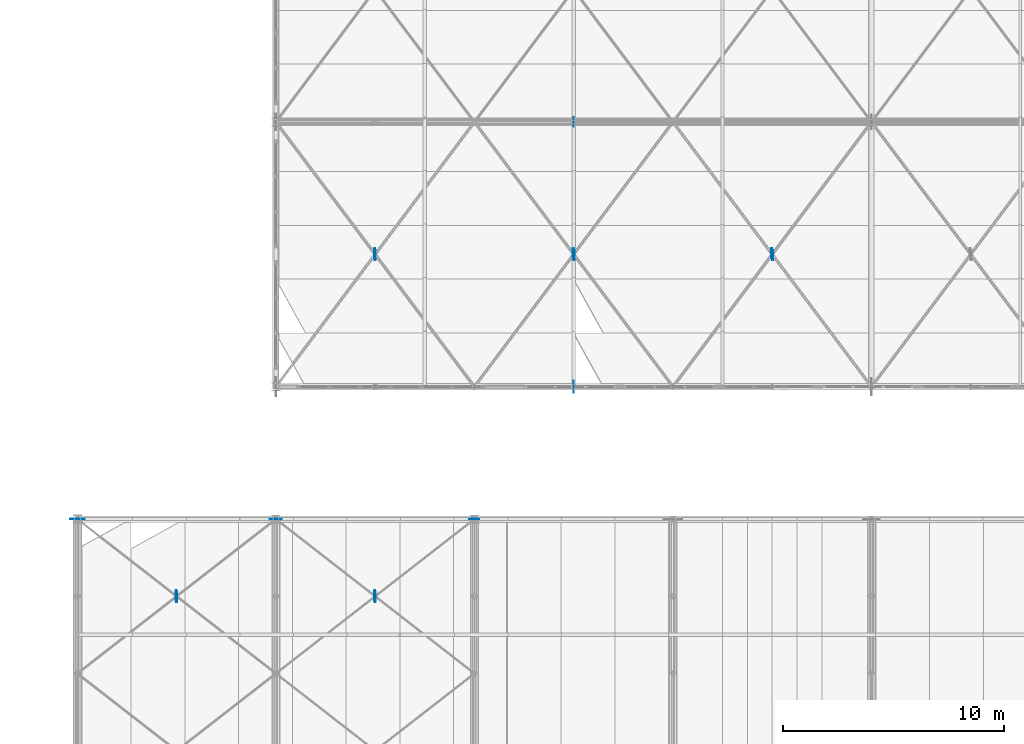
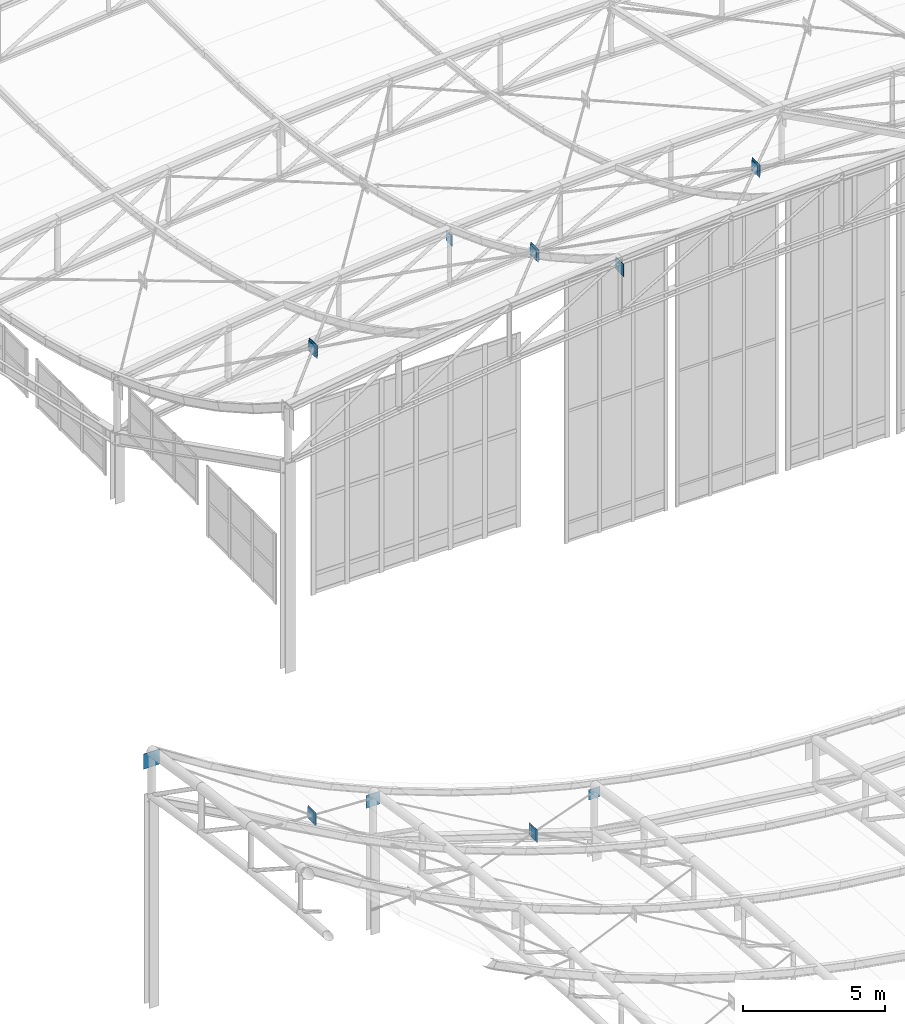
# One storey, part 242 of 262: 20 plates.
"""IFC4 building model written with IfcOpenShell, lengths in metres."""

import ifcopenshell
import ifcopenshell.guid

model = None  # the IFC model being written
_history = None  # IfcOwnerHistory: only IFC2X3 demands one
_inside = {}  # id of a spatial element -> (the spatial element, [elements in it])
_under = {}  # id of a project, library or spatial element -> (it, [spatial elements below it])
_declared = {}  # id of a project -> (the project, [libraries it declares])
_typed = {}  # id of a type object -> (the type object, [elements of that type])
_made_of = {}  # id of a material, layer set ... -> (it, [elements and type objects made of it])


def new_model(schema):
    """Start an empty IFC model of exactly this schema.

    Asked for "IFC4X3", IfcOpenShell would pick the latest addendum, in which some entities
    have other attributes; the version numbers below select the first issue.
    IFC2X3 requires an IfcOwnerHistory on every rooted entity: one is made here for all.
    """
    global model, _history
    if schema == "IFC4X3":
        model = ifcopenshell.file(schema_version=(4, 3, 0, 0))
    else:
        model = ifcopenshell.file(schema=schema)
    _inside.clear()
    _under.clear()
    _declared.clear()
    _typed.clear()
    _made_of.clear()
    _history = None
    if model.schema == "IFC2X3":
        org = make("IfcOrganization", Name="unknown")
        user = make(
            "IfcPersonAndOrganization",
            ThePerson=make("IfcPerson", FamilyName="unknown"),
            TheOrganization=org,
        )
        app = make(
            "IfcApplication",
            ApplicationDeveloper=org,
            Version="unknown",
            ApplicationFullName="unknown",
            ApplicationIdentifier="unknown",
        )
        _history = make(
            "IfcOwnerHistory",
            OwningUser=user,
            OwningApplication=app,
            ChangeAction="ADDED",
            CreationDate=0,
        )
    return model


def make(cls, **values):
    """One entity of the class cls with the attributes given. An attribute that is None is left unset."""
    return model.create_entity(
        cls, **{name: value for name, value in values.items() if value is not None}
    )


def rooted(cls, **values):
    """An entity with a GlobalId (a new one), such as an element, a storey or a relation."""
    return make(cls, GlobalId=ifcopenshell.guid.new(), OwnerHistory=_history, **values)


def si_unit(unit_type, name, prefix=None):
    """IfcSIUnit, for example si_unit("LENGTHUNIT", "METRE", prefix="MILLI")."""
    return make("IfcSIUnit", UnitType=unit_type, Prefix=prefix, Name=name)


def derived_unit(unit_type, elements):
    """IfcDerivedUnit: a product of units, each with its exponent."""
    return make(
        "IfcDerivedUnit",
        Elements=[
            make("IfcDerivedUnitElement", Unit=unit, Exponent=power)
            for unit, power in elements
        ],
        UnitType=unit_type,
    )


def assignment(units):
    """IfcUnitAssignment: the units of a project."""
    return None if units is None else make("IfcUnitAssignment", Units=units)


def point(xyz):
    """IfcCartesianPoint."""
    return None if xyz is None else make("IfcCartesianPoint", Coordinates=xyz)


def direction(xyz):
    """IfcDirection."""
    return None if xyz is None else make("IfcDirection", DirectionRatios=xyz)


def frame(location, z_axis=None, x_axis=None):
    """IfcAxis2Placement3D, a coordinate frame: its origin and axes. An axis left out is left unset."""
    return make(
        "IfcAxis2Placement3D",
        Location=point(location),
        Axis=direction(z_axis),
        RefDirection=direction(x_axis),
    )


def frame_2d(location, x_axis=None):
    """IfcAxis2Placement2D, a coordinate frame in the plane: its origin and x axis."""
    return make(
        "IfcAxis2Placement2D", Location=point(location), RefDirection=direction(x_axis)
    )


def origin():
    """The frame at (0, 0, 0) with its axes left unset."""
    return frame((0.0, 0.0, 0.0))


def origin_2d():
    """The frame at (0, 0) in the plane with its x axis left unset."""
    return frame_2d((0.0, 0.0))


def place(relative_to, where):
    """IfcLocalPlacement: puts the frame where relative to a parent placement (None: the world)."""
    return make(
        "IfcLocalPlacement", PlacementRelTo=relative_to, RelativePlacement=where
    )


def context(
    kind, dimensions, precision=None, world=None, true_north=None, identifier=None
):
    """IfcGeometricRepresentationContext, for example the 3D "Model" context."""
    return make(
        "IfcGeometricRepresentationContext",
        ContextIdentifier=identifier,
        ContextType=kind,
        CoordinateSpaceDimension=dimensions,
        Precision=precision,
        WorldCoordinateSystem=world,
        TrueNorth=true_north,
    )


def subcontext(parent, identifier, kind, view, scale=None):
    """IfcGeometricRepresentationSubContext, for example "Body" below "Model"."""
    return make(
        "IfcGeometricRepresentationSubContext",
        ContextIdentifier=identifier,
        ContextType=kind,
        ParentContext=parent,
        TargetScale=scale,
        TargetView=view,
    )


def project(units=None, contexts=None):
    """IfcProject with its units and contexts."""
    return rooted(
        "IfcProject",
        Name="project",
        RepresentationContexts=contexts,
        UnitsInContext=assignment(units),
    )


def spatial(cls, under=None, at=None, **own):
    """A site, building, storey or space (cls), placed at a placement, below another one or the project."""
    s = rooted(cls, ObjectPlacement=at, **own)
    if under is not None:
        _under.setdefault(under.id(), (under, []))[1].append(s)
    return s


def profile(cls, at=None, kind="AREA", **sizes):
    """A parametric profile (cls). Its sizes go by their IFC names, for example OverallWidth=200.0."""
    return make(cls, ProfileType=kind, Position=at, **sizes)


def rectangle(**sizes):
    """IfcRectangleProfileDef."""
    return profile("IfcRectangleProfileDef", **sizes)


def extrude(swept, where, along, depth):
    """IfcExtrudedAreaSolid: the profile swept, set in the frame where, extruded along a direction by depth."""
    return make(
        "IfcExtrudedAreaSolid",
        SweptArea=swept,
        Position=where,
        ExtrudedDirection=direction(along),
        Depth=depth,
    )


def shape(context_of_items, identifier, shape_type, items):
    """IfcShapeRepresentation: the items that make up one representation, for example the "Body"."""
    return make(
        "IfcShapeRepresentation",
        ContextOfItems=context_of_items,
        RepresentationIdentifier=identifier,
        RepresentationType=shape_type,
        Items=items,
    )


def material(Name=None, Category=None):
    """IfcMaterial."""
    return make("IfcMaterial", Name=Name, Category=Category)


def layer(
    of_material, thickness, ventilated=None, Name=None, Category=None, Priority=None
):
    """IfcMaterialLayer: one layer of a wall or slab, of a material (None: an air gap)."""
    return make(
        "IfcMaterialLayer",
        Material=of_material,
        LayerThickness=thickness,
        IsVentilated=ventilated,
        Name=Name,
        Category=Category,
        Priority=Priority,
    )


def layer_set(layers, Name=None):
    """IfcMaterialLayerSet."""
    return make("IfcMaterialLayerSet", MaterialLayers=layers, LayerSetName=Name)


def made_of(thing, what):
    """Note that an element or type object is made of a material, layer set ...; save() writes the relation."""
    if what is not None:
        _made_of.setdefault(what.id(), (what, []))[1].append(thing)
    return thing


def type_object(cls, material=None, **own):
    """A type object (cls), such as IfcWallType, which elements share."""
    return made_of(rooted(cls, **own), material)


def element(
    cls,
    number,
    at=None,
    inside=None,
    cuts=None,
    type_object=None,
    material=None,
    context=None,
    identifier="Body",
    shape_type=None,
    held_by="IfcProductDefinitionShape",
    body=None,
    shapes=None,
    **own,
):
    """One element of the class cls, such as IfcWall. Its Tag is "e" and its number.

    at: its placement. inside: the storey or other place that contains it. cuts: it is an
    opening in that element (IfcRelVoidsElement). A single representation is given by context,
    identifier, shape_type and body (its items); several are given by shapes. held_by: the class
    of the entity that holds the representations. save() writes the other relations.
    """
    e = rooted(cls, Tag="e%d" % number, ObjectPlacement=at, **own)
    if body is not None:
        shapes = [shape(context, identifier, shape_type, body)]
    if shapes is not None:
        e.Representation = make(held_by, Representations=shapes)
    if inside is not None:
        _inside.setdefault(inside.id(), (inside, []))[1].append(e)
    if cuts is not None:
        rooted(
            "IfcRelVoidsElement", RelatingBuildingElement=cuts, RelatedOpeningElement=e
        )
    if type_object is not None:
        _typed.setdefault(type_object.id(), (type_object, []))[1].append(e)
    return made_of(e, material)


def aggregate(whole, parts):
    """IfcRelAggregates: a whole, such as a stair, and the parts it consists of."""
    return rooted("IfcRelAggregates", RelatingObject=whole, RelatedObjects=parts)


def save(model, path):
    """Write the relations noted so far, then the file.

    IfcRelAggregates (storeys below a building ...), IfcRelContainedInSpatialStructure (elements
    in a storey), IfcRelDefinesByType, IfcRelAssociatesMaterial and IfcRelDeclares: one each for
    every whole, place, type object, material and project.
    """
    for whole, parts in _under.values():
        aggregate(whole, parts)
    for where, things in _inside.values():
        rooted(
            "IfcRelContainedInSpatialStructure",
            RelatedElements=things,
            RelatingStructure=where,
        )
    for kind, things in _typed.values():
        rooted("IfcRelDefinesByType", RelatedObjects=things, RelatingType=kind)
    for what, things in _made_of.values():
        rooted("IfcRelAssociatesMaterial", RelatedObjects=things, RelatingMaterial=what)
    for by, libraries in _declared.values():
        rooted("IfcRelDeclares", RelatingContext=by, RelatedDefinitions=libraries)
    model.write(path)


model = new_model("IFC4")

# Units and contexts
model_context = context("Model", 3, precision=1e-05, world=origin(), true_north=direction((0.0, 1.0)))
body_context = subcontext(model_context, "Body", "Model", "MODEL_VIEW")
ifc_project = project(units=[si_unit("LENGTHUNIT", "METRE"), si_unit("AREAUNIT", "SQUARE_METRE"), si_unit("VOLUMEUNIT", "CUBIC_METRE"), si_unit("PLANEANGLEUNIT", "RADIAN"), si_unit("MASSUNIT", "GRAM", prefix="KILO"), derived_unit("THERMALTRANSMITTANCEUNIT", [(si_unit("POWERUNIT", "WATT"), 1), (si_unit("LENGTHUNIT", "METRE"), -2), (si_unit("THERMODYNAMICTEMPERATUREUNIT", "KELVIN"), -1)])], contexts=[model_context])

# Site, building, storey
site_placement = place(None, origin())
site = spatial("IfcSite", under=ifc_project, at=site_placement, CompositionType="ELEMENT")
building_placement = place(site_placement, origin())
building = spatial("IfcBuilding", under=site, at=building_placement, Name="Almenara Railside Exhibition Hall", CompositionType="ELEMENT")
storey_placement = place(building_placement, frame((0.0, 0.0, 21.699951171875)))
storey = spatial("IfcBuildingStorey", under=building, at=storey_placement, Name="RF", CompositionType="ELEMENT", Elevation=21.699951171875)

# Plates
ifc_material = material(Name="Structural steel S355JR", Category="steel")
ifc_layer_1 = layer(ifc_material, 0.011962890625, Name="Structural steel S355JR")
ifc_layer_set_1 = layer_set([ifc_layer_1], Name="Structural steel S355JR")
plate_type_1 = type_object("IfcPlateType", Name="Truss Node Gusset Plate 12mm S355JR", PredefinedType="USERDEFINED", material=ifc_layer_set_1)
for number, where, z_axis, x_axis, name in (
    (1, (25.5, 60.0, 3.916015625), (0.0, 0.0, 1.0), (0.0, 1.0, 0.0), "PLT-GUS-0007"),
    (2, (16.53076171875, 53.958984375, 6.001953125), (0.0, 0.0, 1.0), (0.0, 1.0, 0.0), "PLT-GUS-0042"),
    (3, (16.46923828125, 54.041015625, 5.95166015625), (0.0, 0.0, 1.0), (0.0, 1.0, 0.0), "PLT-GUS-0043"),
    (4, (25.53125, 53.95849609375, 6.97802734375), (0.0, 0.0, 1.0), (0.0, 1.0, 0.0), "PLT-GUS-0045"),
    (5, (25.46875, 54.04150390625, 6.9306640625), (0.0, 0.0, 1.0), (0.0, 1.0, 0.0), "PLT-GUS-0046"),
    (6, (34.531494140625, 53.9580078125, 7.46533203125), (0.0, 0.0, 1.0), (0.0, 1.0, 0.0), "PLT-GUS-0048"),
    (7, (34.468505859375, 54.0419921875, 7.42138671875), (0.0, 0.0, 1.0), (0.0, 1.0, 0.0), "PLT-GUS-0049"),
    (8, (21.0, 42.0, -7.4453125), (0.0, 0.0, 1.0), (1.0, 0.0, 0.0), "PLT-GUS-0239"),
    (9, (7.466796875, 38.52587890625, -1.5400390625), (0.0, 0.0, 1.0), (0.0, 1.0, 0.0), "PLT-GUS-0286"),
    (10, (7.533203125, 38.47412109375, -1.56884765625), (0.0, 0.0, 1.0), (0.0, 1.0, 0.0), "PLT-GUS-0287"),
    (11, (16.470458984375, 38.523193359375, -5.43359375), (0.0, 0.0, 1.0), (0.0, 1.0, 0.0), "PLT-GUS-0304"),
    (12, (16.529541015625, 38.476806640625, -5.44580078125), (0.0, 0.0, 1.0), (0.0, 1.0, 0.0), "PLT-GUS-0305"),
):
    element("IfcPlate", number, at=place(storey_placement, frame(where, z_axis=z_axis, x_axis=x_axis)), inside=storey, type_object=plate_type_1, Name=name, ObjectType="GUSSET_PLATE", PredefinedType="USERDEFINED", context=body_context, shape_type="SweptSolid", body=[
        extrude(rectangle(XDim=0.449951171875, YDim=0.011962890625, at=origin_2d()), origin(), (0.0, 0.0, 1.0), 0.449951171875),
    ])
ifc_layer_2 = layer(ifc_material, 0.01611328125, Name="Structural steel S355JR")
ifc_layer_set_2 = layer_set([ifc_layer_2], Name="Structural steel S355JR")
plate_type_2 = type_object("IfcPlateType", Name="Truss Node Gusset Plate 16mm S355JR", PredefinedType="USERDEFINED", material=ifc_layer_set_2)
for number, where, z_axis, x_axis, name in (
    (13, (25.5, 48.0, 9.9248046875), (0.0, 0.0, 1.0), (0.0, 1.0, 0.0), "PLT-GUS-0002"),
    (14, (16.5, 54.0, 5.9267578125), (0.0, 0.0, 1.0), (0.0, 1.0, 0.0), "PLT-GUS-0041"),
    (15, (25.5, 54.0, 6.904296875), (0.0, 0.0, 1.0), (0.0, 1.0, 0.0), "PLT-GUS-0044"),
    (16, (34.5, 54.0, 7.3935546875), (0.0, 0.0, 1.0), (0.0, 1.0, 0.0), "PLT-GUS-0047"),
    (17, (12.0, 42.0, -4.6240234375), (0.0, 0.0, 1.0), (1.0, 0.0, 0.0), "PLT-GUS-0234"),
    (18, (7.5, 38.5, -1.6044921875), (0.0, 0.0, 1.0), (0.0, 1.0, 0.0), "PLT-GUS-0285"),
    (19, (16.5, 38.5, -5.48974609375), (0.0, 0.0, 1.0), (0.0, 1.0, 0.0), "PLT-GUS-0303"),
):
    element("IfcPlate", number, at=place(storey_placement, frame(where, z_axis=z_axis, x_axis=x_axis)), inside=storey, type_object=plate_type_2, Name=name, ObjectType="GUSSET_PLATE", PredefinedType="USERDEFINED", context=body_context, shape_type="SweptSolid", body=[
        extrude(rectangle(XDim=0.550048828125, YDim=0.01611328125, at=origin_2d()), origin(), (0.0, 0.0, 1.0), 0.550048828125),
    ])
ifc_layer_3 = layer(ifc_material, 0.02001953125, Name="Structural steel S355JR")
ifc_layer_set_3 = layer_set([ifc_layer_3], Name="Structural steel S355JR")
plate_type_3 = type_object("IfcPlateType", Name="Truss Node Gusset Plate 20mm S355JR", PredefinedType="USERDEFINED", material=ifc_layer_set_3)
plate_placement = place(storey_placement, frame((3.0, 42.0, 0.22509765625), z_axis=(0.0, 0.0, 1.0), x_axis=(1.0, 0.0, 0.0)))
element("IfcPlate", 20, at=plate_placement, inside=storey, type_object=plate_type_3, Name="PLT-GUS-0229", ObjectType="GUSSET_PLATE", PredefinedType="USERDEFINED", context=body_context, shape_type="SweptSolid", body=[
    extrude(rectangle(XDim=0.64990234375, YDim=0.02001953125, at=origin_2d()), origin(), (0.0, 0.0, 1.0), 0.64990234375),
])

save(model, "model.ifc")
